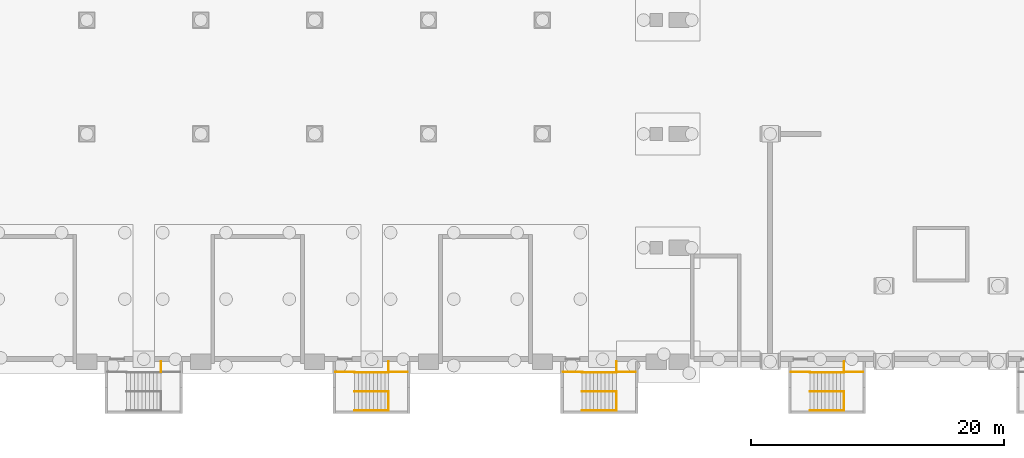
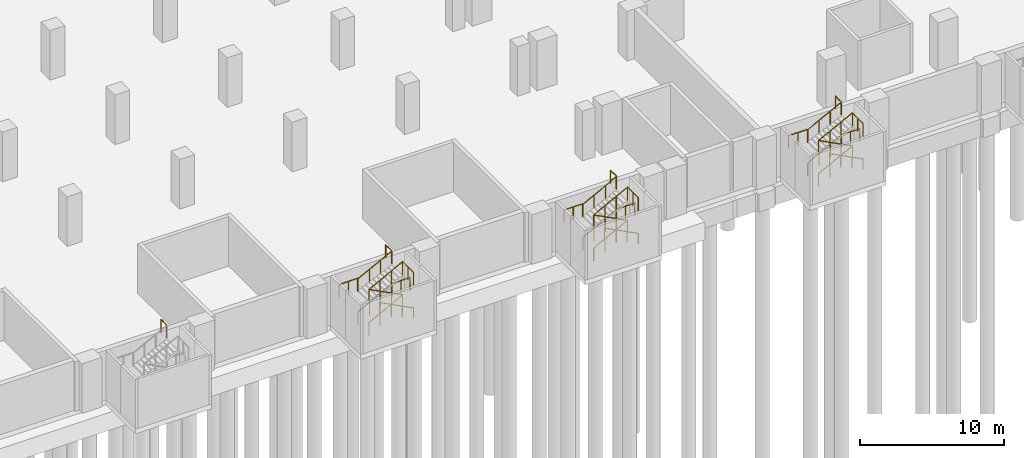
# One storey, part 23 of 29: 31 railings.
"""IFC4 building model written with IfcOpenShell, lengths in metres."""

from ifc_helpers import new_model, si_unit, direction, frame, origin, origin_2d, place, context, subcontext, project, spatial, circle, extrude, material, type_object, element, save


model = new_model("IFC4")

# Units and contexts
model_context = context("Model", 3, precision=1e-05, world=origin(), true_north=direction((0.0, 1.0)))
body_context = subcontext(model_context, "Body", "Model", "MODEL_VIEW")
ifc_project = project(units=[si_unit("LENGTHUNIT", "METRE"), si_unit("AREAUNIT", "SQUARE_METRE"), si_unit("VOLUMEUNIT", "CUBIC_METRE"), si_unit("PLANEANGLEUNIT", "RADIAN"), si_unit("MASSUNIT", "GRAM", prefix="KILO")], contexts=[model_context])

# Site, building, storey
site_placement = place(None, origin())
site = spatial("IfcSite", under=ifc_project, at=site_placement, CompositionType="ELEMENT")
building_placement = place(site_placement, origin())
building = spatial("IfcBuilding", under=site, at=building_placement, Name="Aravalli Gate Trade Fair Centre", CompositionType="ELEMENT")
storey_placement = place(building_placement, frame((0.0, 0.0, -8.39990234375)))
storey = spatial("IfcBuildingStorey", under=building, at=storey_placement, Name="B2", CompositionType="ELEMENT", Elevation=-8.39990234375)

# Railings
ifc_material = material(Name="Steel E350", Category="steel")
railing_type_1 = type_object("IfcRailingType", Name="Basement stair guard 1100", PredefinedType="GUARDRAIL", material=ifc_material)
railing_1_placement = place(storey_placement, frame((65.85009765625, 46.0, 4.199951171875)))
element("IfcRailing", 1, at=railing_1_placement, inside=storey, type_object=railing_type_1, Name="Basement stair S3 strip guard B2", PredefinedType="GUARDRAIL", context=body_context, shape_type="SweptSolid", body=[
    extrude(circle(Radius=0.02392578125, at=origin_2d()), frame((0.0, 0.0, 1.076171875), z_axis=(0.0, -1.0, 0.0), x_axis=(1.0, 0.0, 0.0)), (0.0, 0.0, 1.0), 0.800048828125),
    extrude(circle(Radius=0.02099609375, at=origin_2d()), origin(), (0.0, 0.0, 1.0), 1.052001953125),
    extrude(circle(Radius=0.02099609375, at=origin_2d()), frame((0.0, -0.800048828125, 0.0)), (0.0, 0.0, 1.0), 1.052001953125),
])
railing_2_placement = place(storey_placement, frame((81.14990234375, 43.64990234375, 0.0)))
element("IfcRailing", 2, at=railing_2_placement, inside=storey, type_object=railing_type_1, Name="Basement stair S4 guard A B2", PredefinedType="GUARDRAIL", context=body_context, shape_type="SweptSolid", body=[
    extrude(circle(Radius=0.02392578125, at=origin_2d()), frame((0.0, 0.0, 1.076171875), z_axis=(0.887781257544, 0.0, 0.460265617609), x_axis=(0.0, 1.0, 0.0)), (0.0, 0.0, 1.0), 3.04150390625),
    extrude(circle(Radius=0.02099609375, at=origin_2d()), origin(), (0.0, 0.0, 1.0), 1.052001953125),
    extrude(circle(Radius=0.02099609375, at=origin_2d()), frame((0.900146484375, 0.0, 0.466552734375)), (0.0, 0.0, 1.0), 1.052001953125),
    extrude(circle(Radius=0.02099609375, at=origin_2d()), frame((1.800048828125, 0.0, 0.933349609375)), (0.0, 0.0, 1.0), 1.052001953125),
    extrude(circle(Radius=0.02099609375, at=origin_2d()), frame((2.7001953125, 0.0, 1.39990234375)), (0.0, 0.0, 1.0), 1.052001953125),
])
railing_3_placement = place(storey_placement, frame((83.85009765625, 43.64990234375, 1.39990234375)))
element("IfcRailing", 3, at=railing_3_placement, inside=storey, type_object=railing_type_1, Name="Basement stair S4 guard B B2", PredefinedType="GUARDRAIL", context=body_context, shape_type="SweptSolid", body=[
    extrude(circle(Radius=0.02392578125, at=origin_2d()), frame((0.0, 0.0, 1.076171875), z_axis=(-0.887781257544, 0.0, 0.460265617609), x_axis=(0.0, -1.0, 0.0)), (0.0, 0.0, 1.0), 3.04150390625),
    extrude(circle(Radius=0.02099609375, at=origin_2d()), origin(), (0.0, 0.0, 1.0), 1.052001953125),
    extrude(circle(Radius=0.02099609375, at=origin_2d()), frame((-0.900146484375, 0.0, 0.466552734375)), (0.0, 0.0, 1.0), 1.052001953125),
    extrude(circle(Radius=0.02099609375, at=origin_2d()), frame((-1.800048828125, 0.0, 0.933349609375)), (0.0, 0.0, 1.0), 1.052001953125),
    extrude(circle(Radius=0.02099609375, at=origin_2d()), frame((-2.7001953125, 0.0, 1.39990234375)), (0.0, 0.0, 1.0), 1.052001953125),
])
railing_4_placement = place(storey_placement, frame((81.14990234375, 43.64990234375, 2.7998046875)))
element("IfcRailing", 4, at=railing_4_placement, inside=storey, type_object=railing_type_1, Name="Basement stair S4 guard C B2", PredefinedType="GUARDRAIL", context=body_context, shape_type="SweptSolid", body=[
    extrude(circle(Radius=0.02392578125, at=origin_2d()), frame((0.0, 0.0, 1.076171875), z_axis=(0.887748457143, 0.0, 0.460328878998), x_axis=(0.0, 1.0, 0.0)), (0.0, 0.0, 1.0), 3.04150390625),
    extrude(circle(Radius=0.02099609375, at=origin_2d()), origin(), (0.0, 0.0, 1.0), 1.052001953125),
    extrude(circle(Radius=0.02099609375, at=origin_2d()), frame((0.900146484375, 0.0, 0.466796875)), (0.0, 0.0, 1.0), 1.052001953125),
    extrude(circle(Radius=0.02099609375, at=origin_2d()), frame((1.800048828125, 0.0, 0.933349609375)), (0.0, 0.0, 1.0), 1.052001953125),
    extrude(circle(Radius=0.02099609375, at=origin_2d()), frame((2.7001953125, 0.0, 1.400146484375)), (0.0, 0.0, 1.0), 1.052001953125),
])
railing_5_placement = place(storey_placement, frame((81.14990234375, 45.14990234375, 0.0)))
element("IfcRailing", 5, at=railing_5_placement, inside=storey, type_object=railing_type_1, Name="Basement stair S4 guard A B2", PredefinedType="GUARDRAIL", context=body_context, shape_type="SweptSolid", body=[
    extrude(circle(Radius=0.02392578125, at=origin_2d()), frame((0.0, 0.0, 1.076171875), z_axis=(0.887781257544, 0.0, 0.460265617609), x_axis=(0.0, 1.0, 0.0)), (0.0, 0.0, 1.0), 3.04150390625),
    extrude(circle(Radius=0.02099609375, at=origin_2d()), origin(), (0.0, 0.0, 1.0), 1.052001953125),
    extrude(circle(Radius=0.02099609375, at=origin_2d()), frame((0.900146484375, 0.0, 0.466552734375)), (0.0, 0.0, 1.0), 1.052001953125),
    extrude(circle(Radius=0.02099609375, at=origin_2d()), frame((1.800048828125, 0.0, 0.933349609375)), (0.0, 0.0, 1.0), 1.052001953125),
    extrude(circle(Radius=0.02099609375, at=origin_2d()), frame((2.7001953125, 0.0, 1.39990234375)), (0.0, 0.0, 1.0), 1.052001953125),
])
railing_6_placement = place(storey_placement, frame((81.14990234375, 45.14990234375, 2.7998046875)))
element("IfcRailing", 6, at=railing_6_placement, inside=storey, type_object=railing_type_1, Name="Basement stair S4 guard C B2", PredefinedType="GUARDRAIL", context=body_context, shape_type="SweptSolid", body=[
    extrude(circle(Radius=0.02392578125, at=origin_2d()), frame((0.0, 0.0, 1.076171875), z_axis=(0.887748457143, 0.0, 0.460328878998), x_axis=(0.0, 1.0, 0.0)), (0.0, 0.0, 1.0), 3.04150390625),
    extrude(circle(Radius=0.02099609375, at=origin_2d()), origin(), (0.0, 0.0, 1.0), 1.052001953125),
    extrude(circle(Radius=0.02099609375, at=origin_2d()), frame((0.900146484375, 0.0, 0.466796875)), (0.0, 0.0, 1.0), 1.052001953125),
    extrude(circle(Radius=0.02099609375, at=origin_2d()), frame((1.800048828125, 0.0, 0.933349609375)), (0.0, 0.0, 1.0), 1.052001953125),
    extrude(circle(Radius=0.02099609375, at=origin_2d()), frame((2.7001953125, 0.0, 1.400146484375)), (0.0, 0.0, 1.0), 1.052001953125),
])
for number, where, name in (
    (7, (83.85009765625, 45.199951171875, 1.39990234375), "Basement stair S4 landing edge guard 1 B2"),
    (8, (79.64990234375, 45.199951171875, 2.7998046875), "Basement stair S4 landing edge guard 2 B2"),
):
    element("IfcRailing", number, at=place(storey_placement, frame(where)), inside=storey, type_object=railing_type_1, Name=name, PredefinedType="GUARDRAIL", context=body_context, shape_type="SweptSolid", body=[
        extrude(circle(Radius=0.02392578125, at=origin_2d()), frame((0.0, 0.0, 1.076171875), z_axis=(1.0, 0.0, 0.0), x_axis=(0.0, 1.0, 0.0)), (0.0, 0.0, 1.0), 1.5),
        extrude(circle(Radius=0.02099609375, at=origin_2d()), origin(), (0.0, 0.0, 1.0), 1.052001953125),
        extrude(circle(Radius=0.02099609375, at=origin_2d()), frame((0.75, 0.0, 0.0)), (0.0, 0.0, 1.0), 1.052001953125),
        extrude(circle(Radius=0.02099609375, at=origin_2d()), frame((1.5, 0.0, 0.0)), (0.0, 0.0, 1.0), 1.052001953125),
    ])
railing_7_placement = place(storey_placement, frame((83.85009765625, 46.0, 4.199951171875)))
element("IfcRailing", 9, at=railing_7_placement, inside=storey, type_object=railing_type_1, Name="Basement stair S4 strip guard B2", PredefinedType="GUARDRAIL", context=body_context, shape_type="SweptSolid", body=[
    extrude(circle(Radius=0.02392578125, at=origin_2d()), frame((0.0, 0.0, 1.076171875), z_axis=(0.0, -1.0, 0.0), x_axis=(1.0, 0.0, 0.0)), (0.0, 0.0, 1.0), 0.800048828125),
    extrude(circle(Radius=0.02099609375, at=origin_2d()), origin(), (0.0, 0.0, 1.0), 1.052001953125),
    extrude(circle(Radius=0.02099609375, at=origin_2d()), frame((0.0, -0.800048828125, 0.0)), (0.0, 0.0, 1.0), 1.052001953125),
])
railing_8_placement = place(storey_placement, frame((83.85009765625, 43.64990234375, 4.199951171875)))
element("IfcRailing", 10, at=railing_8_placement, inside=storey, type_object=railing_type_1, Name="Basement stair S4 well guard B2", PredefinedType="GUARDRAIL", context=body_context, shape_type="SweptSolid", body=[
    extrude(circle(Radius=0.02392578125, at=origin_2d()), frame((0.0, 0.0, 1.076171875), z_axis=(0.0, -1.0, 0.0), x_axis=(1.0, 0.0, 0.0)), (0.0, 0.0, 1.0), 1.5),
    extrude(circle(Radius=0.02099609375, at=origin_2d()), origin(), (0.0, 0.0, 1.0), 1.052001953125),
    extrude(circle(Radius=0.02099609375, at=origin_2d()), frame((0.0, -0.75, 0.0)), (0.0, 0.0, 1.0), 1.052001953125),
    extrude(circle(Radius=0.02099609375, at=origin_2d()), frame((0.0, -1.5, 0.0)), (0.0, 0.0, 1.0), 1.052001953125),
])
railing_9_placement = place(storey_placement, frame((99.14990234375, 43.64990234375, 0.0)))
element("IfcRailing", 11, at=railing_9_placement, inside=storey, type_object=railing_type_1, Name="Basement stair S5 guard A B2", PredefinedType="GUARDRAIL", context=body_context, shape_type="SweptSolid", body=[
    extrude(circle(Radius=0.02392578125, at=origin_2d()), frame((0.0, 0.0, 1.076171875), z_axis=(0.887781257544, 0.0, 0.460265617609), x_axis=(0.0, 1.0, 0.0)), (0.0, 0.0, 1.0), 3.04150390625),
    extrude(circle(Radius=0.02099609375, at=origin_2d()), origin(), (0.0, 0.0, 1.0), 1.052001953125),
    extrude(circle(Radius=0.02099609375, at=origin_2d()), frame((0.900146484375, 0.0, 0.466552734375)), (0.0, 0.0, 1.0), 1.052001953125),
    extrude(circle(Radius=0.02099609375, at=origin_2d()), frame((1.800048828125, 0.0, 0.933349609375)), (0.0, 0.0, 1.0), 1.052001953125),
    extrude(circle(Radius=0.02099609375, at=origin_2d()), frame((2.7001953125, 0.0, 1.39990234375)), (0.0, 0.0, 1.0), 1.052001953125),
])
railing_10_placement = place(storey_placement, frame((101.85009765625, 43.64990234375, 1.39990234375)))
element("IfcRailing", 12, at=railing_10_placement, inside=storey, type_object=railing_type_1, Name="Basement stair S5 guard B B2", PredefinedType="GUARDRAIL", context=body_context, shape_type="SweptSolid", body=[
    extrude(circle(Radius=0.02392578125, at=origin_2d()), frame((0.0, 0.0, 1.076171875), z_axis=(-0.887781257544, 0.0, 0.460265617609), x_axis=(0.0, -1.0, 0.0)), (0.0, 0.0, 1.0), 3.04150390625),
    extrude(circle(Radius=0.02099609375, at=origin_2d()), origin(), (0.0, 0.0, 1.0), 1.052001953125),
    extrude(circle(Radius=0.02099609375, at=origin_2d()), frame((-0.900146484375, 0.0, 0.466552734375)), (0.0, 0.0, 1.0), 1.052001953125),
    extrude(circle(Radius=0.02099609375, at=origin_2d()), frame((-1.800048828125, 0.0, 0.933349609375)), (0.0, 0.0, 1.0), 1.052001953125),
    extrude(circle(Radius=0.02099609375, at=origin_2d()), frame((-2.7001953125, 0.0, 1.39990234375)), (0.0, 0.0, 1.0), 1.052001953125),
])
railing_11_placement = place(storey_placement, frame((99.14990234375, 43.64990234375, 2.7998046875)))
element("IfcRailing", 13, at=railing_11_placement, inside=storey, type_object=railing_type_1, Name="Basement stair S5 guard C B2", PredefinedType="GUARDRAIL", context=body_context, shape_type="SweptSolid", body=[
    extrude(circle(Radius=0.02392578125, at=origin_2d()), frame((0.0, 0.0, 1.076171875), z_axis=(0.887748457143, 0.0, 0.460328878998), x_axis=(0.0, 1.0, 0.0)), (0.0, 0.0, 1.0), 3.04150390625),
    extrude(circle(Radius=0.02099609375, at=origin_2d()), origin(), (0.0, 0.0, 1.0), 1.052001953125),
    extrude(circle(Radius=0.02099609375, at=origin_2d()), frame((0.900146484375, 0.0, 0.466796875)), (0.0, 0.0, 1.0), 1.052001953125),
    extrude(circle(Radius=0.02099609375, at=origin_2d()), frame((1.800048828125, 0.0, 0.933349609375)), (0.0, 0.0, 1.0), 1.052001953125),
    extrude(circle(Radius=0.02099609375, at=origin_2d()), frame((2.7001953125, 0.0, 1.400146484375)), (0.0, 0.0, 1.0), 1.052001953125),
])
railing_12_placement = place(storey_placement, frame((99.14990234375, 45.14990234375, 0.0)))
element("IfcRailing", 14, at=railing_12_placement, inside=storey, type_object=railing_type_1, Name="Basement stair S5 guard A B2", PredefinedType="GUARDRAIL", context=body_context, shape_type="SweptSolid", body=[
    extrude(circle(Radius=0.02392578125, at=origin_2d()), frame((0.0, 0.0, 1.076171875), z_axis=(0.887781257544, 0.0, 0.460265617609), x_axis=(0.0, 1.0, 0.0)), (0.0, 0.0, 1.0), 3.04150390625),
    extrude(circle(Radius=0.02099609375, at=origin_2d()), origin(), (0.0, 0.0, 1.0), 1.052001953125),
    extrude(circle(Radius=0.02099609375, at=origin_2d()), frame((0.900146484375, 0.0, 0.466552734375)), (0.0, 0.0, 1.0), 1.052001953125),
    extrude(circle(Radius=0.02099609375, at=origin_2d()), frame((1.800048828125, 0.0, 0.933349609375)), (0.0, 0.0, 1.0), 1.052001953125),
    extrude(circle(Radius=0.02099609375, at=origin_2d()), frame((2.7001953125, 0.0, 1.39990234375)), (0.0, 0.0, 1.0), 1.052001953125),
])
railing_13_placement = place(storey_placement, frame((99.14990234375, 45.14990234375, 2.7998046875)))
element("IfcRailing", 15, at=railing_13_placement, inside=storey, type_object=railing_type_1, Name="Basement stair S5 guard C B2", PredefinedType="GUARDRAIL", context=body_context, shape_type="SweptSolid", body=[
    extrude(circle(Radius=0.02392578125, at=origin_2d()), frame((0.0, 0.0, 1.076171875), z_axis=(0.887748457143, 0.0, 0.460328878998), x_axis=(0.0, 1.0, 0.0)), (0.0, 0.0, 1.0), 3.04150390625),
    extrude(circle(Radius=0.02099609375, at=origin_2d()), origin(), (0.0, 0.0, 1.0), 1.052001953125),
    extrude(circle(Radius=0.02099609375, at=origin_2d()), frame((0.900146484375, 0.0, 0.466796875)), (0.0, 0.0, 1.0), 1.052001953125),
    extrude(circle(Radius=0.02099609375, at=origin_2d()), frame((1.800048828125, 0.0, 0.933349609375)), (0.0, 0.0, 1.0), 1.052001953125),
    extrude(circle(Radius=0.02099609375, at=origin_2d()), frame((2.7001953125, 0.0, 1.400146484375)), (0.0, 0.0, 1.0), 1.052001953125),
])
for number, where, name in (
    (16, (101.85009765625, 45.199951171875, 1.39990234375), "Basement stair S5 landing edge guard 1 B2"),
    (17, (97.64990234375, 45.199951171875, 2.7998046875), "Basement stair S5 landing edge guard 2 B2"),
):
    element("IfcRailing", number, at=place(storey_placement, frame(where)), inside=storey, type_object=railing_type_1, Name=name, PredefinedType="GUARDRAIL", context=body_context, shape_type="SweptSolid", body=[
        extrude(circle(Radius=0.02392578125, at=origin_2d()), frame((0.0, 0.0, 1.076171875), z_axis=(1.0, 0.0, 0.0), x_axis=(0.0, 1.0, 0.0)), (0.0, 0.0, 1.0), 1.5),
        extrude(circle(Radius=0.02099609375, at=origin_2d()), origin(), (0.0, 0.0, 1.0), 1.052001953125),
        extrude(circle(Radius=0.02099609375, at=origin_2d()), frame((0.75, 0.0, 0.0)), (0.0, 0.0, 1.0), 1.052001953125),
        extrude(circle(Radius=0.02099609375, at=origin_2d()), frame((1.5, 0.0, 0.0)), (0.0, 0.0, 1.0), 1.052001953125),
    ])
railing_14_placement = place(storey_placement, frame((101.85009765625, 46.0, 4.199951171875)))
element("IfcRailing", 18, at=railing_14_placement, inside=storey, type_object=railing_type_1, Name="Basement stair S5 strip guard B2", PredefinedType="GUARDRAIL", context=body_context, shape_type="SweptSolid", body=[
    extrude(circle(Radius=0.02392578125, at=origin_2d()), frame((0.0, 0.0, 1.076171875), z_axis=(0.0, -1.0, 0.0), x_axis=(1.0, 0.0, 0.0)), (0.0, 0.0, 1.0), 0.800048828125),
    extrude(circle(Radius=0.02099609375, at=origin_2d()), origin(), (0.0, 0.0, 1.0), 1.052001953125),
    extrude(circle(Radius=0.02099609375, at=origin_2d()), frame((0.0, -0.800048828125, 0.0)), (0.0, 0.0, 1.0), 1.052001953125),
])
railing_15_placement = place(storey_placement, frame((101.85009765625, 43.64990234375, 4.199951171875)))
element("IfcRailing", 19, at=railing_15_placement, inside=storey, type_object=railing_type_1, Name="Basement stair S5 well guard B2", PredefinedType="GUARDRAIL", context=body_context, shape_type="SweptSolid", body=[
    extrude(circle(Radius=0.02392578125, at=origin_2d()), frame((0.0, 0.0, 1.076171875), z_axis=(0.0, -1.0, 0.0), x_axis=(1.0, 0.0, 0.0)), (0.0, 0.0, 1.0), 1.5),
    extrude(circle(Radius=0.02099609375, at=origin_2d()), origin(), (0.0, 0.0, 1.0), 1.052001953125),
    extrude(circle(Radius=0.02099609375, at=origin_2d()), frame((0.0, -0.75, 0.0)), (0.0, 0.0, 1.0), 1.052001953125),
    extrude(circle(Radius=0.02099609375, at=origin_2d()), frame((0.0, -1.5, 0.0)), (0.0, 0.0, 1.0), 1.052001953125),
])
railing_16_placement = place(storey_placement, frame((117.14990234375, 43.64990234375, 0.0)))
element("IfcRailing", 20, at=railing_16_placement, inside=storey, type_object=railing_type_1, Name="Basement stair S6 guard A B2", PredefinedType="GUARDRAIL", context=body_context, shape_type="SweptSolid", body=[
    extrude(circle(Radius=0.02392578125, at=origin_2d()), frame((0.0, 0.0, 1.076171875), z_axis=(0.887781257544, 0.0, 0.460265617609), x_axis=(0.0, 1.0, 0.0)), (0.0, 0.0, 1.0), 3.04150390625),
    extrude(circle(Radius=0.02099609375, at=origin_2d()), origin(), (0.0, 0.0, 1.0), 1.052001953125),
    extrude(circle(Radius=0.02099609375, at=origin_2d()), frame((0.900146484375, 0.0, 0.466552734375)), (0.0, 0.0, 1.0), 1.052001953125),
    extrude(circle(Radius=0.02099609375, at=origin_2d()), frame((1.800048828125, 0.0, 0.933349609375)), (0.0, 0.0, 1.0), 1.052001953125),
    extrude(circle(Radius=0.02099609375, at=origin_2d()), frame((2.7001953125, 0.0, 1.39990234375)), (0.0, 0.0, 1.0), 1.052001953125),
])
railing_17_placement = place(storey_placement, frame((119.85009765625, 43.64990234375, 1.39990234375)))
element("IfcRailing", 21, at=railing_17_placement, inside=storey, type_object=railing_type_1, Name="Basement stair S6 guard B B2", PredefinedType="GUARDRAIL", context=body_context, shape_type="SweptSolid", body=[
    extrude(circle(Radius=0.02392578125, at=origin_2d()), frame((0.0, 0.0, 1.076171875), z_axis=(-0.887781257544, 0.0, 0.460265617609), x_axis=(0.0, -1.0, 0.0)), (0.0, 0.0, 1.0), 3.04150390625),
    extrude(circle(Radius=0.02099609375, at=origin_2d()), origin(), (0.0, 0.0, 1.0), 1.052001953125),
    extrude(circle(Radius=0.02099609375, at=origin_2d()), frame((-0.900146484375, 0.0, 0.466552734375)), (0.0, 0.0, 1.0), 1.052001953125),
    extrude(circle(Radius=0.02099609375, at=origin_2d()), frame((-1.800048828125, 0.0, 0.933349609375)), (0.0, 0.0, 1.0), 1.052001953125),
    extrude(circle(Radius=0.02099609375, at=origin_2d()), frame((-2.7001953125, 0.0, 1.39990234375)), (0.0, 0.0, 1.0), 1.052001953125),
])
railing_18_placement = place(storey_placement, frame((117.14990234375, 43.64990234375, 2.7998046875)))
element("IfcRailing", 22, at=railing_18_placement, inside=storey, type_object=railing_type_1, Name="Basement stair S6 guard C B2", PredefinedType="GUARDRAIL", context=body_context, shape_type="SweptSolid", body=[
    extrude(circle(Radius=0.02392578125, at=origin_2d()), frame((0.0, 0.0, 1.076171875), z_axis=(0.887748457143, 0.0, 0.460328878998), x_axis=(0.0, 1.0, 0.0)), (0.0, 0.0, 1.0), 3.04150390625),
    extrude(circle(Radius=0.02099609375, at=origin_2d()), origin(), (0.0, 0.0, 1.0), 1.052001953125),
    extrude(circle(Radius=0.02099609375, at=origin_2d()), frame((0.900146484375, 0.0, 0.466796875)), (0.0, 0.0, 1.0), 1.052001953125),
    extrude(circle(Radius=0.02099609375, at=origin_2d()), frame((1.800048828125, 0.0, 0.933349609375)), (0.0, 0.0, 1.0), 1.052001953125),
    extrude(circle(Radius=0.02099609375, at=origin_2d()), frame((2.7001953125, 0.0, 1.400146484375)), (0.0, 0.0, 1.0), 1.052001953125),
])
railing_19_placement = place(storey_placement, frame((117.14990234375, 45.14990234375, 0.0)))
element("IfcRailing", 23, at=railing_19_placement, inside=storey, type_object=railing_type_1, Name="Basement stair S6 guard A B2", PredefinedType="GUARDRAIL", context=body_context, shape_type="SweptSolid", body=[
    extrude(circle(Radius=0.02392578125, at=origin_2d()), frame((0.0, 0.0, 1.076171875), z_axis=(0.887781257544, 0.0, 0.460265617609), x_axis=(0.0, 1.0, 0.0)), (0.0, 0.0, 1.0), 3.04150390625),
    extrude(circle(Radius=0.02099609375, at=origin_2d()), origin(), (0.0, 0.0, 1.0), 1.052001953125),
    extrude(circle(Radius=0.02099609375, at=origin_2d()), frame((0.900146484375, 0.0, 0.466552734375)), (0.0, 0.0, 1.0), 1.052001953125),
    extrude(circle(Radius=0.02099609375, at=origin_2d()), frame((1.800048828125, 0.0, 0.933349609375)), (0.0, 0.0, 1.0), 1.052001953125),
    extrude(circle(Radius=0.02099609375, at=origin_2d()), frame((2.7001953125, 0.0, 1.39990234375)), (0.0, 0.0, 1.0), 1.052001953125),
])
railing_20_placement = place(storey_placement, frame((117.14990234375, 45.14990234375, 2.7998046875)))
element("IfcRailing", 24, at=railing_20_placement, inside=storey, type_object=railing_type_1, Name="Basement stair S6 guard C B2", PredefinedType="GUARDRAIL", context=body_context, shape_type="SweptSolid", body=[
    extrude(circle(Radius=0.02392578125, at=origin_2d()), frame((0.0, 0.0, 1.076171875), z_axis=(0.887748457143, 0.0, 0.460328878998), x_axis=(0.0, 1.0, 0.0)), (0.0, 0.0, 1.0), 3.04150390625),
    extrude(circle(Radius=0.02099609375, at=origin_2d()), origin(), (0.0, 0.0, 1.0), 1.052001953125),
    extrude(circle(Radius=0.02099609375, at=origin_2d()), frame((0.900146484375, 0.0, 0.466796875)), (0.0, 0.0, 1.0), 1.052001953125),
    extrude(circle(Radius=0.02099609375, at=origin_2d()), frame((1.800048828125, 0.0, 0.933349609375)), (0.0, 0.0, 1.0), 1.052001953125),
    extrude(circle(Radius=0.02099609375, at=origin_2d()), frame((2.7001953125, 0.0, 1.400146484375)), (0.0, 0.0, 1.0), 1.052001953125),
])
for number, where, name in (
    (25, (119.85009765625, 45.199951171875, 1.39990234375), "Basement stair S6 landing edge guard 1 B2"),
    (26, (115.64990234375, 45.199951171875, 2.7998046875), "Basement stair S6 landing edge guard 2 B2"),
):
    element("IfcRailing", number, at=place(storey_placement, frame(where)), inside=storey, type_object=railing_type_1, Name=name, PredefinedType="GUARDRAIL", context=body_context, shape_type="SweptSolid", body=[
        extrude(circle(Radius=0.02392578125, at=origin_2d()), frame((0.0, 0.0, 1.076171875), z_axis=(1.0, 0.0, 0.0), x_axis=(0.0, 1.0, 0.0)), (0.0, 0.0, 1.0), 1.5),
        extrude(circle(Radius=0.02099609375, at=origin_2d()), origin(), (0.0, 0.0, 1.0), 1.052001953125),
        extrude(circle(Radius=0.02099609375, at=origin_2d()), frame((0.75, 0.0, 0.0)), (0.0, 0.0, 1.0), 1.052001953125),
        extrude(circle(Radius=0.02099609375, at=origin_2d()), frame((1.5, 0.0, 0.0)), (0.0, 0.0, 1.0), 1.052001953125),
    ])
railing_21_placement = place(storey_placement, frame((119.85009765625, 46.0, 4.199951171875)))
element("IfcRailing", 27, at=railing_21_placement, inside=storey, type_object=railing_type_1, Name="Basement stair S6 strip guard B2", PredefinedType="GUARDRAIL", context=body_context, shape_type="SweptSolid", body=[
    extrude(circle(Radius=0.02392578125, at=origin_2d()), frame((0.0, 0.0, 1.076171875), z_axis=(0.0, -1.0, 0.0), x_axis=(1.0, 0.0, 0.0)), (0.0, 0.0, 1.0), 0.800048828125),
    extrude(circle(Radius=0.02099609375, at=origin_2d()), origin(), (0.0, 0.0, 1.0), 1.052001953125),
    extrude(circle(Radius=0.02099609375, at=origin_2d()), frame((0.0, -0.800048828125, 0.0)), (0.0, 0.0, 1.0), 1.052001953125),
])
railing_22_placement = place(storey_placement, frame((119.85009765625, 43.64990234375, 4.199951171875)))
element("IfcRailing", 28, at=railing_22_placement, inside=storey, type_object=railing_type_1, Name="Basement stair S6 well guard B2", PredefinedType="GUARDRAIL", context=body_context, shape_type="SweptSolid", body=[
    extrude(circle(Radius=0.02392578125, at=origin_2d()), frame((0.0, 0.0, 1.076171875), z_axis=(0.0, -1.0, 0.0), x_axis=(1.0, 0.0, 0.0)), (0.0, 0.0, 1.0), 1.5),
    extrude(circle(Radius=0.02099609375, at=origin_2d()), origin(), (0.0, 0.0, 1.0), 1.052001953125),
    extrude(circle(Radius=0.02099609375, at=origin_2d()), frame((0.0, -0.75, 0.0)), (0.0, 0.0, 1.0), 1.052001953125),
    extrude(circle(Radius=0.02099609375, at=origin_2d()), frame((0.0, -1.5, 0.0)), (0.0, 0.0, 1.0), 1.052001953125),
])
railing_type_2 = type_object("IfcRailingType", Name="Basement stair handrail 900", PredefinedType="HANDRAIL", material=ifc_material)
for number, where, name in (
    (29, (83.85009765625, 42.14990234375, 1.39990234375), "Basement stair S4 handrail B B2"),
    (30, (101.85009765625, 42.14990234375, 1.39990234375), "Basement stair S5 handrail B B2"),
    (31, (119.85009765625, 42.14990234375, 1.39990234375), "Basement stair S6 handrail B B2"),
):
    element("IfcRailing", number, at=place(storey_placement, frame(where)), inside=storey, type_object=railing_type_2, Name=name, PredefinedType="HANDRAIL", context=body_context, shape_type="SweptSolid", body=[
        extrude(circle(Radius=0.02392578125, at=origin_2d()), frame((0.0, 0.0, 0.8759765625), z_axis=(-0.887781257544, 0.0, 0.460265617609), x_axis=(0.0, -1.0, 0.0)), (0.0, 0.0, 1.0), 3.04150390625),
        extrude(circle(Radius=0.02099609375, at=origin_2d()), origin(), (0.0, 0.0, 1.0), 0.851806640625),
        extrude(circle(Radius=0.02099609375, at=origin_2d()), frame((-0.900146484375, 0.0, 0.466552734375)), (0.0, 0.0, 1.0), 0.851806640625),
        extrude(circle(Radius=0.02099609375, at=origin_2d()), frame((-1.800048828125, 0.0, 0.933349609375)), (0.0, 0.0, 1.0), 0.851806640625),
        extrude(circle(Radius=0.02099609375, at=origin_2d()), frame((-2.7001953125, 0.0, 1.39990234375)), (0.0, 0.0, 1.0), 0.851806640625),
    ])

save(model, "model.ifc")
